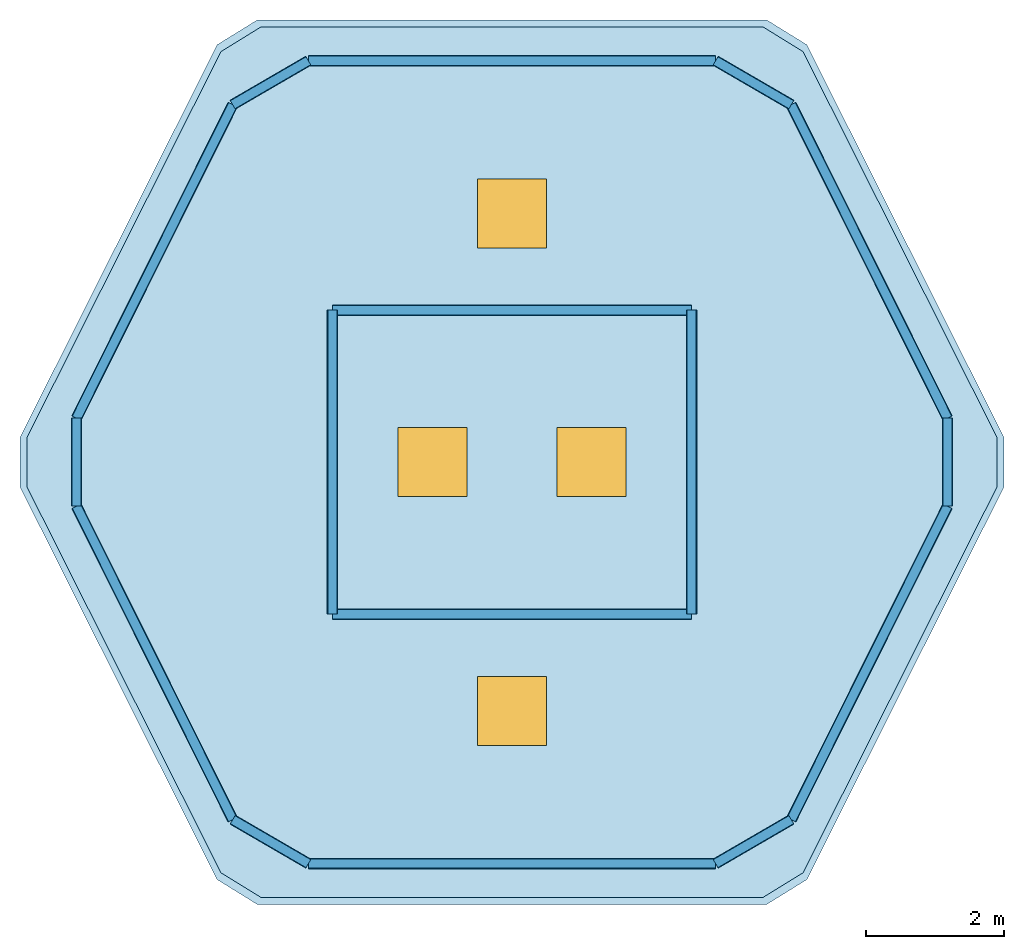
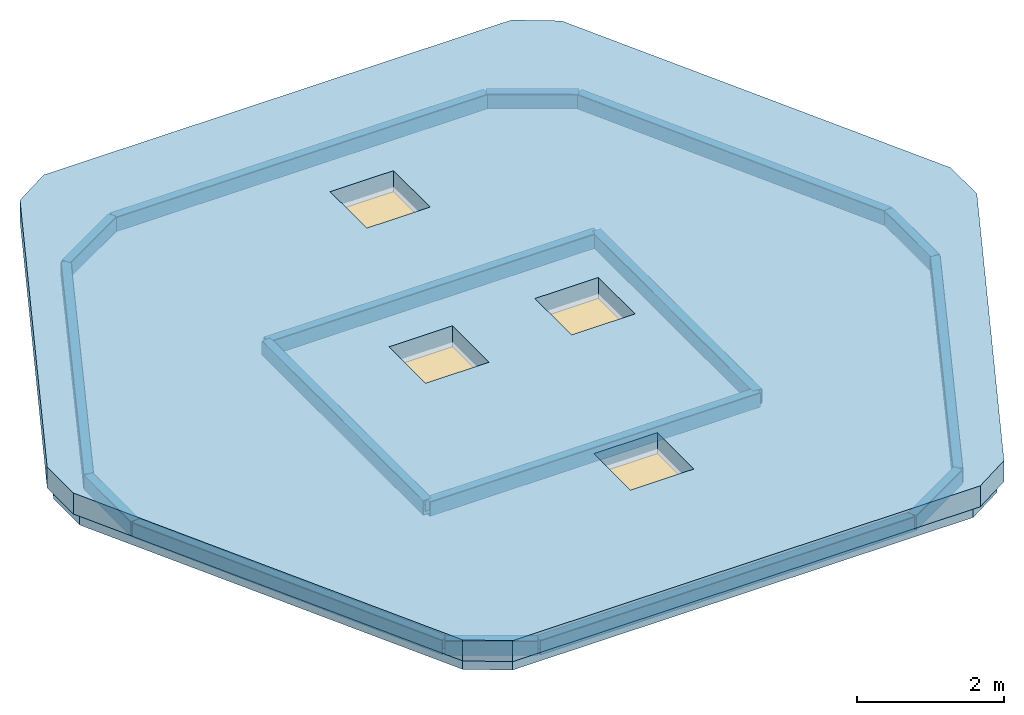
# One storey, part 1 of 2: 16 beams, 4 windows, 1 roof, 1 slab, 4 openings.
"""IFC4 building model written with IfcOpenShell, lengths in metres."""

import ifcopenshell
import ifcopenshell.guid

model = None  # the IFC model being written
_history = None  # IfcOwnerHistory: only IFC2X3 demands one
_inside = {}  # id of a spatial element -> (the spatial element, [elements in it])
_under = {}  # id of a project, library or spatial element -> (it, [spatial elements below it])
_declared = {}  # id of a project -> (the project, [libraries it declares])
_typed = {}  # id of a type object -> (the type object, [elements of that type])
_made_of = {}  # id of a material, layer set ... -> (it, [elements and type objects made of it])


def new_model(schema):
    """Start an empty IFC model of exactly this schema.

    Asked for "IFC4X3", IfcOpenShell would pick the latest addendum, in which some entities
    have other attributes; the version numbers below select the first issue.
    IFC2X3 requires an IfcOwnerHistory on every rooted entity: one is made here for all.
    """
    global model, _history
    if schema == "IFC4X3":
        model = ifcopenshell.file(schema_version=(4, 3, 0, 0))
    else:
        model = ifcopenshell.file(schema=schema)
    _inside.clear()
    _under.clear()
    _declared.clear()
    _typed.clear()
    _made_of.clear()
    _history = None
    if model.schema == "IFC2X3":
        org = make("IfcOrganization", Name="unknown")
        user = make(
            "IfcPersonAndOrganization",
            ThePerson=make("IfcPerson", FamilyName="unknown"),
            TheOrganization=org,
        )
        app = make(
            "IfcApplication",
            ApplicationDeveloper=org,
            Version="unknown",
            ApplicationFullName="unknown",
            ApplicationIdentifier="unknown",
        )
        _history = make(
            "IfcOwnerHistory",
            OwningUser=user,
            OwningApplication=app,
            ChangeAction="ADDED",
            CreationDate=0,
        )
    return model


def make(cls, **values):
    """One entity of the class cls with the attributes given. An attribute that is None is left unset."""
    return model.create_entity(
        cls, **{name: value for name, value in values.items() if value is not None}
    )


def rooted(cls, **values):
    """An entity with a GlobalId (a new one), such as an element, a storey or a relation."""
    return make(cls, GlobalId=ifcopenshell.guid.new(), OwnerHistory=_history, **values)


def si_unit(unit_type, name, prefix=None):
    """IfcSIUnit, for example si_unit("LENGTHUNIT", "METRE", prefix="MILLI")."""
    return make("IfcSIUnit", UnitType=unit_type, Prefix=prefix, Name=name)


def assignment(units):
    """IfcUnitAssignment: the units of a project."""
    return None if units is None else make("IfcUnitAssignment", Units=units)


def point(xyz):
    """IfcCartesianPoint."""
    return None if xyz is None else make("IfcCartesianPoint", Coordinates=xyz)


def direction(xyz):
    """IfcDirection."""
    return None if xyz is None else make("IfcDirection", DirectionRatios=xyz)


def frame(location, z_axis=None, x_axis=None):
    """IfcAxis2Placement3D, a coordinate frame: its origin and axes. An axis left out is left unset."""
    return make(
        "IfcAxis2Placement3D",
        Location=point(location),
        Axis=direction(z_axis),
        RefDirection=direction(x_axis),
    )


def frame_2d(location, x_axis=None):
    """IfcAxis2Placement2D, a coordinate frame in the plane: its origin and x axis."""
    return make(
        "IfcAxis2Placement2D", Location=point(location), RefDirection=direction(x_axis)
    )


def origin():
    """The frame at (0, 0, 0) with its axes left unset."""
    return frame((0.0, 0.0, 0.0))


def origin_2d():
    """The frame at (0, 0) in the plane with its x axis left unset."""
    return frame_2d((0.0, 0.0))


def place(relative_to, where):
    """IfcLocalPlacement: puts the frame where relative to a parent placement (None: the world)."""
    return make(
        "IfcLocalPlacement", PlacementRelTo=relative_to, RelativePlacement=where
    )


def context(
    kind, dimensions, precision=None, world=None, true_north=None, identifier=None
):
    """IfcGeometricRepresentationContext, for example the 3D "Model" context."""
    return make(
        "IfcGeometricRepresentationContext",
        ContextIdentifier=identifier,
        ContextType=kind,
        CoordinateSpaceDimension=dimensions,
        Precision=precision,
        WorldCoordinateSystem=world,
        TrueNorth=true_north,
    )


def subcontext(parent, identifier, kind, view, scale=None):
    """IfcGeometricRepresentationSubContext, for example "Body" below "Model"."""
    return make(
        "IfcGeometricRepresentationSubContext",
        ContextIdentifier=identifier,
        ContextType=kind,
        ParentContext=parent,
        TargetScale=scale,
        TargetView=view,
    )


def project(units=None, contexts=None):
    """IfcProject with its units and contexts."""
    return rooted(
        "IfcProject",
        Name="project",
        RepresentationContexts=contexts,
        UnitsInContext=assignment(units),
    )


def spatial(cls, under=None, at=None, **own):
    """A site, building, storey or space (cls), placed at a placement, below another one or the project."""
    s = rooted(cls, ObjectPlacement=at, **own)
    if under is not None:
        _under.setdefault(under.id(), (under, []))[1].append(s)
    return s


def polyline(points):
    """IfcPolyline through the points."""
    return make("IfcPolyline", Points=[point(p) for p in points])


def profile(cls, at=None, kind="AREA", **sizes):
    """A parametric profile (cls). Its sizes go by their IFC names, for example OverallWidth=200.0."""
    return make(cls, ProfileType=kind, Position=at, **sizes)


def rectangle(**sizes):
    """IfcRectangleProfileDef."""
    return profile("IfcRectangleProfileDef", **sizes)


def hollow_rectangle(**sizes):
    """IfcRectangleHollowProfileDef."""
    return profile("IfcRectangleHollowProfileDef", **sizes)


def outline(outer, holes=None, kind="AREA"):
    """IfcArbitraryClosedProfileDef: a profile drawn as a closed curve; with holes, ...WithVoids."""
    if holes is None:
        return make("IfcArbitraryClosedProfileDef", ProfileType=kind, OuterCurve=outer)
    return make(
        "IfcArbitraryProfileDefWithVoids",
        ProfileType=kind,
        OuterCurve=outer,
        InnerCurves=holes,
    )


def extrude(swept, where, along, depth):
    """IfcExtrudedAreaSolid: the profile swept, set in the frame where, extruded along a direction by depth."""
    return make(
        "IfcExtrudedAreaSolid",
        SweptArea=swept,
        Position=where,
        ExtrudedDirection=direction(along),
        Depth=depth,
    )


def shape(context_of_items, identifier, shape_type, items):
    """IfcShapeRepresentation: the items that make up one representation, for example the "Body"."""
    return make(
        "IfcShapeRepresentation",
        ContextOfItems=context_of_items,
        RepresentationIdentifier=identifier,
        RepresentationType=shape_type,
        Items=items,
    )


def material(Name=None, Category=None):
    """IfcMaterial."""
    return make("IfcMaterial", Name=Name, Category=Category)


def layer(
    of_material, thickness, ventilated=None, Name=None, Category=None, Priority=None
):
    """IfcMaterialLayer: one layer of a wall or slab, of a material (None: an air gap)."""
    return make(
        "IfcMaterialLayer",
        Material=of_material,
        LayerThickness=thickness,
        IsVentilated=ventilated,
        Name=Name,
        Category=Category,
        Priority=Priority,
    )


def layer_set(layers, Name=None):
    """IfcMaterialLayerSet."""
    return make("IfcMaterialLayerSet", MaterialLayers=layers, LayerSetName=Name)


def material_profile(
    of_material, cross_section, Name=None, Category=None, Priority=None
):
    """IfcMaterialProfile: a cross section and its material."""
    return make(
        "IfcMaterialProfile",
        Name=Name,
        Material=of_material,
        Profile=cross_section,
        Priority=Priority,
        Category=Category,
    )


def profile_set(profiles, Name=None, composite=None):
    """IfcMaterialProfileSet."""
    return make(
        "IfcMaterialProfileSet",
        Name=Name,
        MaterialProfiles=profiles,
        CompositeProfile=composite,
    )


def made_of(thing, what):
    """Note that an element or type object is made of a material, layer set ...; save() writes the relation."""
    if what is not None:
        _made_of.setdefault(what.id(), (what, []))[1].append(thing)
    return thing


def type_object(cls, material=None, **own):
    """A type object (cls), such as IfcWallType, which elements share."""
    return made_of(rooted(cls, **own), material)


def element(
    cls,
    number,
    at=None,
    inside=None,
    cuts=None,
    type_object=None,
    material=None,
    context=None,
    identifier="Body",
    shape_type=None,
    held_by="IfcProductDefinitionShape",
    body=None,
    shapes=None,
    **own,
):
    """One element of the class cls, such as IfcWall. Its Tag is "e" and its number.

    at: its placement. inside: the storey or other place that contains it. cuts: it is an
    opening in that element (IfcRelVoidsElement). A single representation is given by context,
    identifier, shape_type and body (its items); several are given by shapes. held_by: the class
    of the entity that holds the representations. save() writes the other relations.
    """
    e = rooted(cls, Tag="e%d" % number, ObjectPlacement=at, **own)
    if body is not None:
        shapes = [shape(context, identifier, shape_type, body)]
    if shapes is not None:
        e.Representation = make(held_by, Representations=shapes)
    if inside is not None:
        _inside.setdefault(inside.id(), (inside, []))[1].append(e)
    if cuts is not None:
        rooted(
            "IfcRelVoidsElement", RelatingBuildingElement=cuts, RelatedOpeningElement=e
        )
    if type_object is not None:
        _typed.setdefault(type_object.id(), (type_object, []))[1].append(e)
    return made_of(e, material)


def fill(opening, filler):
    """IfcRelFillsElement: the door or window that sits in an opening."""
    return rooted(
        "IfcRelFillsElement",
        RelatingOpeningElement=opening,
        RelatedBuildingElement=filler,
    )


def aggregate(whole, parts):
    """IfcRelAggregates: a whole, such as a stair, and the parts it consists of."""
    return rooted("IfcRelAggregates", RelatingObject=whole, RelatedObjects=parts)


def save(model, path):
    """Write the relations noted so far, then the file.

    IfcRelAggregates (storeys below a building ...), IfcRelContainedInSpatialStructure (elements
    in a storey), IfcRelDefinesByType, IfcRelAssociatesMaterial and IfcRelDeclares: one each for
    every whole, place, type object, material and project.
    """
    for whole, parts in _under.values():
        aggregate(whole, parts)
    for where, things in _inside.values():
        rooted(
            "IfcRelContainedInSpatialStructure",
            RelatedElements=things,
            RelatingStructure=where,
        )
    for kind, things in _typed.values():
        rooted("IfcRelDefinesByType", RelatedObjects=things, RelatingType=kind)
    for what, things in _made_of.values():
        rooted("IfcRelAssociatesMaterial", RelatedObjects=things, RelatingMaterial=what)
    for by, libraries in _declared.values():
        rooted("IfcRelDeclares", RelatingContext=by, RelatedDefinitions=libraries)
    model.write(path)


model = new_model("IFC4")

# Units and contexts
model_context = context("Model", 3, precision=1e-05, world=origin(), true_north=direction((0.0, 1.0)))
body_context = subcontext(model_context, "Body", "Model", "MODEL_VIEW")
ifc_project = project(units=[si_unit("LENGTHUNIT", "METRE"), si_unit("AREAUNIT", "SQUARE_METRE"), si_unit("VOLUMEUNIT", "CUBIC_METRE"), si_unit("PLANEANGLEUNIT", "RADIAN"), si_unit("MASSUNIT", "GRAM", prefix="KILO")], contexts=[model_context])

# Site, building, storey
site_placement = place(None, origin())
site = spatial("IfcSite", under=ifc_project, at=site_placement, CompositionType="ELEMENT")
building_placement = place(site_placement, origin())
building = spatial("IfcBuilding", under=site, at=building_placement, Name="Cinnabar Lancet Tower", CompositionType="ELEMENT")
storey_placement = place(building_placement, frame((0.0, 0.0, 342.0)))
storey = spatial("IfcBuildingStorey", under=building, at=storey_placement, Name="Roof", CompositionType="ELEMENT", Elevation=342.0)

# Beams
ifc_material_1 = material(Name="Structural steel S460", Category="steel")
ifc_material_profile_1 = material_profile(ifc_material_1, hollow_rectangle(XDim=0.14990234375, YDim=0.25, WallThickness=0.010009765625, InnerFilletRadius=0.0048828125, OuterFilletRadius=0.014892578125, at=origin_2d()), Name="RHS 250x150x10")
ifc_profile_set_1 = profile_set([ifc_material_profile_1], Name="Structural steel S460")
beam_type_1 = type_object("IfcBeamType", Name="STR-BM-CRN-RHS250", PredefinedType="BEAM", material=ifc_profile_set_1)
beam_1_placement = place(storey_placement, frame((29.800048828125, 23.60009765625, -0.344970703125), z_axis=(1.0, 0.0, 0.0), x_axis=(0.0, 1.0, 0.0)))
element("IfcBeam", 1, at=beam_1_placement, inside=storey, type_object=beam_type_1, Name="Roof Cap Ring Beam 1", PredefinedType="BEAM", context=body_context, shape_type="SweptSolid", body=[
    extrude(hollow_rectangle(XDim=0.14990234375, YDim=0.25, WallThickness=0.010009765625, InnerFilletRadius=0.0048828125, OuterFilletRadius=0.014892578125, at=origin_2d()), origin(), (0.0, 0.0, 1.0), 5.199951171875),
])
beam_2_placement = place(storey_placement, frame((35.0, 23.60009765625, -0.344970703125), z_axis=(0.0, 1.0, 0.0), x_axis=(-1.0, 0.0, 0.0)))
element("IfcBeam", 2, at=beam_2_placement, inside=storey, type_object=beam_type_1, Name="Roof Cap Ring Beam 2", PredefinedType="BEAM", context=body_context, shape_type="SweptSolid", body=[
    extrude(hollow_rectangle(XDim=0.14990234375, YDim=0.25, WallThickness=0.010009765625, InnerFilletRadius=0.0048828125, OuterFilletRadius=0.014892578125, at=origin_2d()), origin(), (0.0, 0.0, 1.0), 4.39990234375),
])
beam_3_placement = place(storey_placement, frame((35.0, 28.0, -0.344970703125), z_axis=(-1.0, 0.0, 0.0), x_axis=(0.0, -1.0, 0.0)))
element("IfcBeam", 3, at=beam_3_placement, inside=storey, type_object=beam_type_1, Name="Roof Cap Ring Beam 3", PredefinedType="BEAM", context=body_context, shape_type="SweptSolid", body=[
    extrude(hollow_rectangle(XDim=0.14990234375, YDim=0.25, WallThickness=0.010009765625, InnerFilletRadius=0.0048828125, OuterFilletRadius=0.014892578125, at=origin_2d()), origin(), (0.0, 0.0, 1.0), 5.199951171875),
])
beam_4_placement = place(storey_placement, frame((29.800048828125, 28.0, -0.344970703125), z_axis=(0.0, -1.0, 0.0), x_axis=(1.0, 0.0, 0.0)))
element("IfcBeam", 4, at=beam_4_placement, inside=storey, type_object=beam_type_1, Name="Roof Cap Ring Beam 4", PredefinedType="BEAM", context=body_context, shape_type="SweptSolid", body=[
    extrude(hollow_rectangle(XDim=0.14990234375, YDim=0.25, WallThickness=0.010009765625, InnerFilletRadius=0.0048828125, OuterFilletRadius=0.014892578125, at=origin_2d()), origin(), (0.0, 0.0, 1.0), 4.39990234375),
])
ifc_material_2 = material(Name="Structural steel S460", Category="steel")
ifc_material_profile_2 = material_profile(ifc_material_2, hollow_rectangle(XDim=0.14990234375, YDim=0.25, WallThickness=0.010009765625, InnerFilletRadius=0.0048828125, OuterFilletRadius=0.014892578125, at=origin_2d()), Name="RHS 250x150x10")
ifc_profile_set_2 = profile_set([ifc_material_profile_2], Name="Structural steel S460")
beam_type_2 = type_object("IfcBeamType", Name="STR-BM-CRN-RHS250E", PredefinedType="SPANDREL", material=ifc_profile_set_2)
beam_5_placement = place(storey_placement, frame((29.452880859375, 19.989990234375, -0.344970703125), z_axis=(1.0, 0.0, 0.0), x_axis=(0.0, 1.0, 0.0)))
element("IfcBeam", 5, at=beam_5_placement, inside=storey, type_object=beam_type_2, Name="Roof Perimeter Cap Ring Beam 1", PredefinedType="SPANDREL", context=body_context, shape_type="SweptSolid", body=[
    extrude(hollow_rectangle(XDim=0.14990234375, YDim=0.25, WallThickness=0.010009765625, InnerFilletRadius=0.0048828125, OuterFilletRadius=0.014892578125, at=origin_2d()), origin(), (0.0, 0.0, 1.0), 5.89404296875),
])
beam_6_placement = place(storey_placement, frame((35.346923828125, 19.989990234375, -0.344970703125), z_axis=(0.864721420235, 0.502251794807, 0.0), x_axis=(-0.502251794807, 0.864721420235, 0.0)))
element("IfcBeam", 6, at=beam_6_placement, inside=storey, type_object=beam_type_2, Name="Roof Perimeter Cap Ring Beam 2", PredefinedType="SPANDREL", context=body_context, shape_type="SweptSolid", body=[
    extrude(hollow_rectangle(XDim=0.14990234375, YDim=0.25, WallThickness=0.010009765625, InnerFilletRadius=0.0048828125, OuterFilletRadius=0.014892578125, at=origin_2d()), origin(), (0.0, 0.0, 1.0), 1.266357421875),
])
beam_7_placement = place(storey_placement, frame((36.44189453125, 20.6259765625, -0.344970703125), z_axis=(0.446211674363, 0.894927450502, 0.0), x_axis=(-0.894927450502, 0.446211674363, 0.0)))
element("IfcBeam", 7, at=beam_7_placement, inside=storey, type_object=beam_type_2, Name="Roof Perimeter Cap Ring Beam 3", PredefinedType="SPANDREL", context=body_context, shape_type="SweptSolid", body=[
    extrude(hollow_rectangle(XDim=0.14990234375, YDim=0.25, WallThickness=0.010009765625, InnerFilletRadius=0.0048828125, OuterFilletRadius=0.014892578125, at=origin_2d()), origin(), (0.0, 0.0, 1.0), 5.06982421875),
])
beam_8_placement = place(storey_placement, frame((38.7041015625, 25.1630859375, -0.344970703125), z_axis=(0.0, 1.0, 0.0), x_axis=(-1.0, 0.0, 0.0)))
element("IfcBeam", 8, at=beam_8_placement, inside=storey, type_object=beam_type_2, Name="Roof Perimeter Cap Ring Beam 4", PredefinedType="SPANDREL", context=body_context, shape_type="SweptSolid", body=[
    extrude(hollow_rectangle(XDim=0.14990234375, YDim=0.25, WallThickness=0.010009765625, InnerFilletRadius=0.0048828125, OuterFilletRadius=0.014892578125, at=origin_2d()), origin(), (0.0, 0.0, 1.0), 1.27392578125),
])
beam_9_placement = place(storey_placement, frame((38.7041015625, 26.43701171875, -0.344970703125), z_axis=(-0.446211674363, 0.894927450502, 0.0), x_axis=(-0.894927450502, -0.446211674363, 0.0)))
element("IfcBeam", 9, at=beam_9_placement, inside=storey, type_object=beam_type_2, Name="Roof Perimeter Cap Ring Beam 5", PredefinedType="SPANDREL", context=body_context, shape_type="SweptSolid", body=[
    extrude(hollow_rectangle(XDim=0.14990234375, YDim=0.25, WallThickness=0.010009765625, InnerFilletRadius=0.0048828125, OuterFilletRadius=0.014892578125, at=origin_2d()), origin(), (0.0, 0.0, 1.0), 5.06982421875),
])
beam_10_placement = place(storey_placement, frame((36.44189453125, 30.97412109375, -0.344970703125), z_axis=(-0.864721420235, 0.502251794807, 0.0), x_axis=(-0.502251794807, -0.864721420235, 0.0)))
element("IfcBeam", 10, at=beam_10_placement, inside=storey, type_object=beam_type_2, Name="Roof Perimeter Cap Ring Beam 6", PredefinedType="SPANDREL", context=body_context, shape_type="SweptSolid", body=[
    extrude(hollow_rectangle(XDim=0.14990234375, YDim=0.25, WallThickness=0.010009765625, InnerFilletRadius=0.0048828125, OuterFilletRadius=0.014892578125, at=origin_2d()), origin(), (0.0, 0.0, 1.0), 1.266357421875),
])
beam_11_placement = place(storey_placement, frame((35.346923828125, 31.610107421875, -0.344970703125), z_axis=(-1.0, 0.0, 0.0), x_axis=(0.0, -1.0, 0.0)))
element("IfcBeam", 11, at=beam_11_placement, inside=storey, type_object=beam_type_2, Name="Roof Perimeter Cap Ring Beam 7", PredefinedType="SPANDREL", context=body_context, shape_type="SweptSolid", body=[
    extrude(hollow_rectangle(XDim=0.14990234375, YDim=0.25, WallThickness=0.010009765625, InnerFilletRadius=0.0048828125, OuterFilletRadius=0.014892578125, at=origin_2d()), origin(), (0.0, 0.0, 1.0), 5.89404296875),
])
beam_12_placement = place(storey_placement, frame((29.452880859375, 31.610107421875, -0.344970703125), z_axis=(-0.864721420235, -0.502251794807, 0.0), x_axis=(0.502251794807, -0.864721420235, 0.0)))
element("IfcBeam", 12, at=beam_12_placement, inside=storey, type_object=beam_type_2, Name="Roof Perimeter Cap Ring Beam 8", PredefinedType="SPANDREL", context=body_context, shape_type="SweptSolid", body=[
    extrude(hollow_rectangle(XDim=0.14990234375, YDim=0.25, WallThickness=0.010009765625, InnerFilletRadius=0.0048828125, OuterFilletRadius=0.014892578125, at=origin_2d()), origin(), (0.0, 0.0, 1.0), 1.266357421875),
])
beam_13_placement = place(storey_placement, frame((28.35791015625, 30.97412109375, -0.344970703125), z_axis=(-0.44617310537, -0.894946680001, 0.0), x_axis=(0.894946680001, -0.44617310537, 0.0)))
element("IfcBeam", 13, at=beam_13_placement, inside=storey, type_object=beam_type_2, Name="Roof Perimeter Cap Ring Beam 9", PredefinedType="SPANDREL", context=body_context, shape_type="SweptSolid", body=[
    extrude(hollow_rectangle(XDim=0.14990234375, YDim=0.25, WallThickness=0.010009765625, InnerFilletRadius=0.0048828125, OuterFilletRadius=0.014892578125, at=origin_2d()), origin(), (0.0, 0.0, 1.0), 5.069580078125),
])
beam_14_placement = place(storey_placement, frame((26.095947265625, 26.43701171875, -0.344970703125), z_axis=(0.0, -1.0, 0.0), x_axis=(1.0, 0.0, 0.0)))
element("IfcBeam", 14, at=beam_14_placement, inside=storey, type_object=beam_type_2, Name="Roof Perimeter Cap Ring Beam 10", PredefinedType="SPANDREL", context=body_context, shape_type="SweptSolid", body=[
    extrude(hollow_rectangle(XDim=0.14990234375, YDim=0.25, WallThickness=0.010009765625, InnerFilletRadius=0.0048828125, OuterFilletRadius=0.014892578125, at=origin_2d()), origin(), (0.0, 0.0, 1.0), 1.27392578125),
])
beam_15_placement = place(storey_placement, frame((26.095947265625, 25.1630859375, -0.344970703125), z_axis=(0.44617310537, -0.894946680001, 0.0), x_axis=(0.894946680001, 0.44617310537, 0.0)))
element("IfcBeam", 15, at=beam_15_placement, inside=storey, type_object=beam_type_2, Name="Roof Perimeter Cap Ring Beam 11", PredefinedType="SPANDREL", context=body_context, shape_type="SweptSolid", body=[
    extrude(hollow_rectangle(XDim=0.14990234375, YDim=0.25, WallThickness=0.010009765625, InnerFilletRadius=0.0048828125, OuterFilletRadius=0.014892578125, at=origin_2d()), origin(), (0.0, 0.0, 1.0), 5.069580078125),
])
beam_16_placement = place(storey_placement, frame((28.35791015625, 20.6259765625, -0.344970703125), z_axis=(0.864721420235, -0.502251794807, 0.0), x_axis=(0.502251794807, 0.864721420235, 0.0)))
element("IfcBeam", 16, at=beam_16_placement, inside=storey, type_object=beam_type_2, Name="Roof Perimeter Cap Ring Beam 12", PredefinedType="SPANDREL", context=body_context, shape_type="SweptSolid", body=[
    extrude(hollow_rectangle(XDim=0.14990234375, YDim=0.25, WallThickness=0.010009765625, InnerFilletRadius=0.0048828125, OuterFilletRadius=0.014892578125, at=origin_2d()), origin(), (0.0, 0.0, 1.0), 1.266357421875),
])

# Slab, openings, windows
ifc_material_3 = material(Name="Concrete C45/55", Category="concrete")
ifc_layer_1 = layer(ifc_material_3, 0.219970703125)
ifc_layer_set_1 = layer_set([ifc_layer_1], Name="Concrete C45/55")
slab_type = type_object("IfcSlabType", Name="STR-SLB-ROOF-220", PredefinedType="ROOF", material=ifc_layer_set_1)
slab_placement = place(storey_placement, frame((0.0, 0.0, -0.219970703125)))
slab = element("IfcSlab", 17, at=slab_placement, inside=storey, type_object=slab_type, Name="Crown Apex Cap Roof Slab (+342.00 m)", PredefinedType="ROOF", context=body_context, shape_type="SweptSolid", body=[
    extrude(outline(polyline([(28.18798828125, 19.85693359375), (28.76806640625, 19.5), (36.031982421875, 19.5), (36.612060546875, 19.85693359375), (39.419921875, 25.443115234375), (39.419921875, 26.156982421875), (36.612060546875, 31.742919921875), (36.031982421875, 32.10009765625), (28.76806640625, 32.10009765625), (28.18798828125, 31.742919921875), (25.3798828125, 26.156982421875), (25.3798828125, 25.443115234375), (28.18798828125, 19.85693359375)])), origin(), (0.0, 0.0, 1.0), 0.219970703125),
])
opening_1_placement = place(slab_placement, frame((31.25, 25.800048828125, 0.0)))
opening_1 = element("IfcOpeningElement", 18, at=opening_1_placement, cuts=slab, Name="Opening SK-01", PredefinedType="OPENING", context=body_context, shape_type="SweptSolid", body=[
    extrude(rectangle(XDim=1.0, YDim=1.0, at=origin_2d()), origin(), (0.0, 0.0, 1.0), 0.219970703125),
])
opening_2_placement = place(slab_placement, frame((33.550048828125, 25.800048828125, 0.0)))
opening_2 = element("IfcOpeningElement", 19, at=opening_2_placement, cuts=slab, Name="Opening SK-01", PredefinedType="OPENING", context=body_context, shape_type="SweptSolid", body=[
    extrude(rectangle(XDim=1.0, YDim=1.0, at=origin_2d()), origin(), (0.0, 0.0, 1.0), 0.219970703125),
])
opening_3_placement = place(slab_placement, frame((32.39990234375, 22.199951171875, 0.0)))
opening_3 = element("IfcOpeningElement", 20, at=opening_3_placement, cuts=slab, Name="Opening SK-01", PredefinedType="OPENING", context=body_context, shape_type="SweptSolid", body=[
    extrude(rectangle(XDim=1.0, YDim=1.0, at=origin_2d()), origin(), (0.0, 0.0, 1.0), 0.219970703125),
])
opening_4_placement = place(slab_placement, frame((32.39990234375, 29.39990234375, 0.0)))
opening_4 = element("IfcOpeningElement", 21, at=opening_4_placement, cuts=slab, Name="Opening SK-01", PredefinedType="OPENING", context=body_context, shape_type="SweptSolid", body=[
    extrude(rectangle(XDim=1.0, YDim=1.0, at=origin_2d()), origin(), (0.0, 0.0, 1.0), 0.219970703125),
])
ifc_material_4 = material(Name="Thermally broken aluminium insulated roof access hatch skylight", Category="aluminium")
window_type = type_object("IfcWindowType", Name="ENV-WN-HATCH-1000", PartitioningType="SINGLE_PANEL", PredefinedType="SKYLIGHT", material=ifc_material_4)
window_1_placement = place(opening_1_placement, frame((0.0, 0.0, 0.169921875)))
window_1 = element("IfcWindow", 22, at=window_1_placement, inside=storey, type_object=window_type, Name="Crown Roof Access Hatch Skylight 1", OverallHeight=1.0, OverallWidth=1.0, PartitioningType="SINGLE_PANEL", PredefinedType="SKYLIGHT", context=body_context, shape_type="SweptSolid", body=[
    extrude(rectangle(XDim=1.0, YDim=1.0, at=origin_2d()), origin(), (0.0, 0.0, 1.0), 0.050048828125),
])
fill(opening_1, window_1)
window_2_placement = place(opening_2_placement, frame((0.0, 0.0, 0.169921875)))
window_2 = element("IfcWindow", 23, at=window_2_placement, inside=storey, type_object=window_type, Name="Crown Roof Access Hatch Skylight 2", OverallHeight=1.0, OverallWidth=1.0, PartitioningType="SINGLE_PANEL", PredefinedType="SKYLIGHT", context=body_context, shape_type="SweptSolid", body=[
    extrude(rectangle(XDim=1.0, YDim=1.0, at=origin_2d()), origin(), (0.0, 0.0, 1.0), 0.050048828125),
])
fill(opening_2, window_2)
window_3_placement = place(opening_3_placement, frame((0.0, 0.0, 0.169921875)))
window_3 = element("IfcWindow", 24, at=window_3_placement, inside=storey, type_object=window_type, Name="Crown Roof Access Hatch Skylight 3", OverallHeight=1.0, OverallWidth=1.0, PartitioningType="SINGLE_PANEL", PredefinedType="SKYLIGHT", context=body_context, shape_type="SweptSolid", body=[
    extrude(rectangle(XDim=1.0, YDim=1.0, at=origin_2d()), origin(), (0.0, 0.0, 1.0), 0.050048828125),
])
fill(opening_3, window_3)
window_4_placement = place(opening_4_placement, frame((0.0, 0.0, 0.169921875)))
window_4 = element("IfcWindow", 25, at=window_4_placement, inside=storey, type_object=window_type, Name="Crown Roof Access Hatch Skylight 4", OverallHeight=1.0, OverallWidth=1.0, PartitioningType="SINGLE_PANEL", PredefinedType="SKYLIGHT", context=body_context, shape_type="SweptSolid", body=[
    extrude(rectangle(XDim=1.0, YDim=1.0, at=origin_2d()), origin(), (0.0, 0.0, 1.0), 0.050048828125),
])
fill(opening_4, window_4)

# Roof
ifc_material_5 = material(Name="Concrete C45/55", Category="concrete")
ifc_layer_2 = layer(ifc_material_5, 0.219970703125)
ifc_layer_set_2 = layer_set([ifc_layer_2], Name="Concrete C45/55")
roof_type = type_object("IfcRoofType", Name="STR-ROOF-CAP", PredefinedType="PAVILION_ROOF", material=ifc_layer_set_2)
roof_placement = place(storey_placement, origin())
element("IfcRoof", 26, at=roof_placement, inside=storey, type_object=roof_type, Name="Crown Lancet Pavilion Cap Roof", PredefinedType="PAVILION_ROOF", context=body_context, shape_type="SweptSolid", body=[
    extrude(outline(polyline([(28.133056640625, 19.758056640625), (28.7119140625, 19.39990234375), (36.087890625, 19.39990234375), (36.6669921875, 19.758056640625), (39.52099609375, 25.44189453125), (39.52099609375, 26.157958984375), (36.6669921875, 31.842041015625), (36.087890625, 32.199951171875), (28.7119140625, 32.199951171875), (28.133056640625, 31.842041015625), (25.279052734375, 26.157958984375), (25.279052734375, 25.44189453125), (28.133056640625, 19.758056640625)]), holes=[polyline([(30.75, 25.300048828125), (31.75, 25.300048828125), (31.75, 26.300048828125), (30.75, 26.300048828125), (30.75, 25.300048828125)]), polyline([(33.050048828125, 25.300048828125), (34.050048828125, 25.300048828125), (34.050048828125, 26.300048828125), (33.050048828125, 26.300048828125), (33.050048828125, 25.300048828125)]), polyline([(31.89990234375, 21.699951171875), (32.89990234375, 21.699951171875), (32.89990234375, 22.699951171875), (31.89990234375, 22.699951171875), (31.89990234375, 21.699951171875)]), polyline([(31.89990234375, 28.89990234375), (32.89990234375, 28.89990234375), (32.89990234375, 29.89990234375), (31.89990234375, 29.89990234375), (31.89990234375, 28.89990234375)])]), origin(), (0.0, 0.0, 1.0), 0.35009765625),
])

save(model, "model.ifc")
